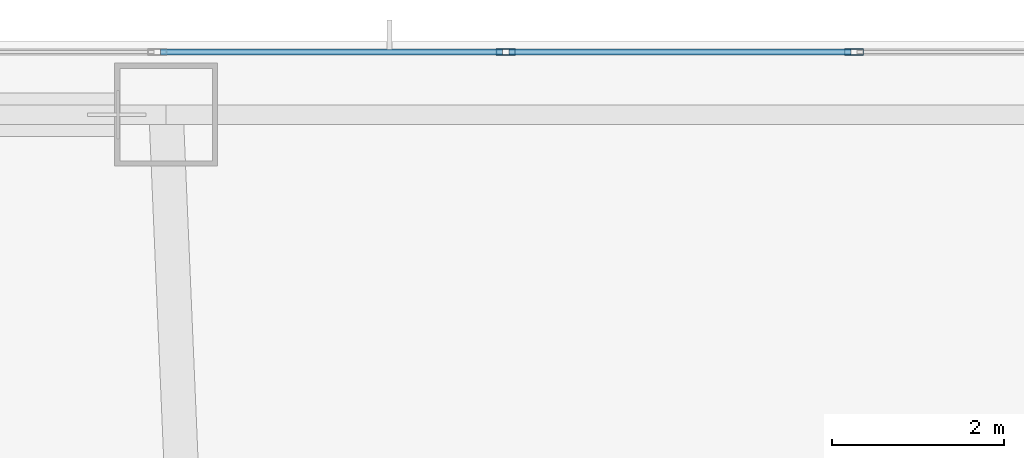
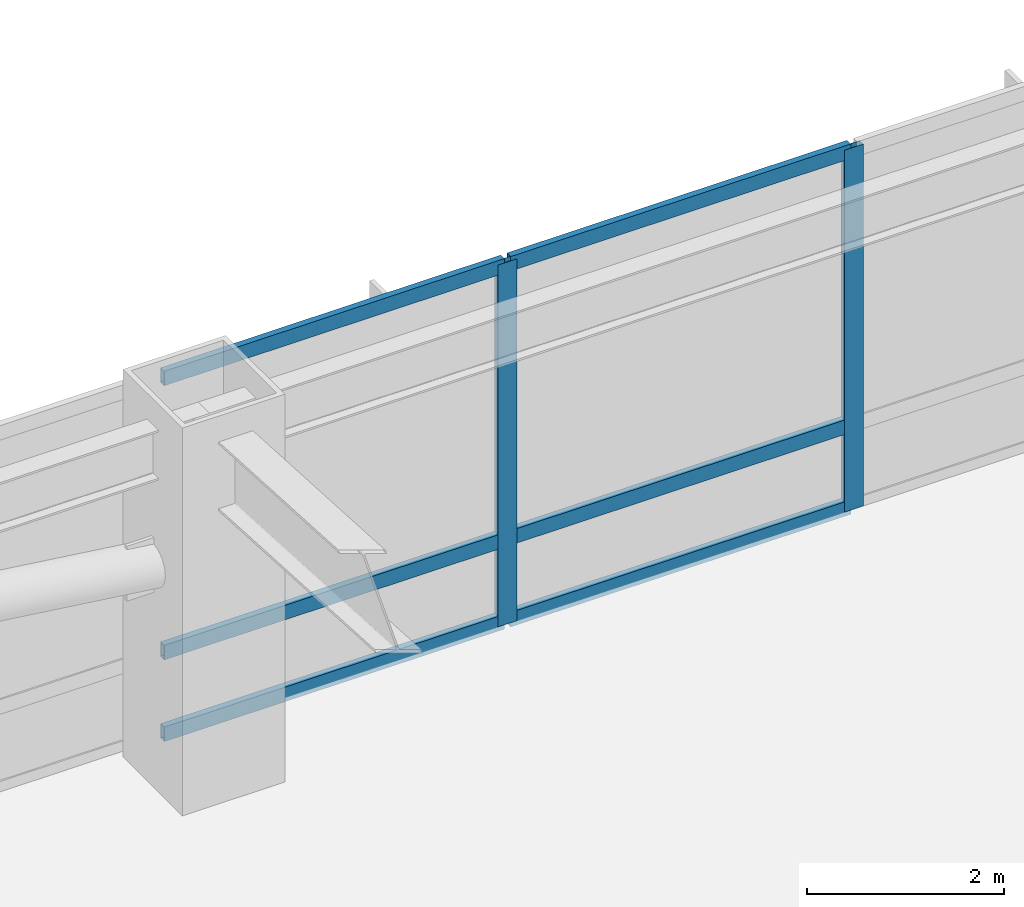
# One storey, part 11 of 33: 8 members, 1 element without a shape of its own.
"""IFC4 building model written with IfcOpenShell, lengths in metres."""

import ifcopenshell
import ifcopenshell.guid

model = None  # the IFC model being written
_history = None  # IfcOwnerHistory: only IFC2X3 demands one
_inside = {}  # id of a spatial element -> (the spatial element, [elements in it])
_under = {}  # id of a project, library or spatial element -> (it, [spatial elements below it])
_declared = {}  # id of a project -> (the project, [libraries it declares])
_typed = {}  # id of a type object -> (the type object, [elements of that type])
_made_of = {}  # id of a material, layer set ... -> (it, [elements and type objects made of it])


def new_model(schema):
    """Start an empty IFC model of exactly this schema.

    Asked for "IFC4X3", IfcOpenShell would pick the latest addendum, in which some entities
    have other attributes; the version numbers below select the first issue.
    IFC2X3 requires an IfcOwnerHistory on every rooted entity: one is made here for all.
    """
    global model, _history
    if schema == "IFC4X3":
        model = ifcopenshell.file(schema_version=(4, 3, 0, 0))
    else:
        model = ifcopenshell.file(schema=schema)
    _inside.clear()
    _under.clear()
    _declared.clear()
    _typed.clear()
    _made_of.clear()
    _history = None
    if model.schema == "IFC2X3":
        org = make("IfcOrganization", Name="unknown")
        user = make(
            "IfcPersonAndOrganization",
            ThePerson=make("IfcPerson", FamilyName="unknown"),
            TheOrganization=org,
        )
        app = make(
            "IfcApplication",
            ApplicationDeveloper=org,
            Version="unknown",
            ApplicationFullName="unknown",
            ApplicationIdentifier="unknown",
        )
        _history = make(
            "IfcOwnerHistory",
            OwningUser=user,
            OwningApplication=app,
            ChangeAction="ADDED",
            CreationDate=0,
        )
    return model


def make(cls, **values):
    """One entity of the class cls with the attributes given. An attribute that is None is left unset."""
    return model.create_entity(
        cls, **{name: value for name, value in values.items() if value is not None}
    )


def rooted(cls, **values):
    """An entity with a GlobalId (a new one), such as an element, a storey or a relation."""
    return make(cls, GlobalId=ifcopenshell.guid.new(), OwnerHistory=_history, **values)


def si_unit(unit_type, name, prefix=None):
    """IfcSIUnit, for example si_unit("LENGTHUNIT", "METRE", prefix="MILLI")."""
    return make("IfcSIUnit", UnitType=unit_type, Prefix=prefix, Name=name)


def assignment(units):
    """IfcUnitAssignment: the units of a project."""
    return None if units is None else make("IfcUnitAssignment", Units=units)


def point(xyz):
    """IfcCartesianPoint."""
    return None if xyz is None else make("IfcCartesianPoint", Coordinates=xyz)


def direction(xyz):
    """IfcDirection."""
    return None if xyz is None else make("IfcDirection", DirectionRatios=xyz)


def frame(location, z_axis=None, x_axis=None):
    """IfcAxis2Placement3D, a coordinate frame: its origin and axes. An axis left out is left unset."""
    return make(
        "IfcAxis2Placement3D",
        Location=point(location),
        Axis=direction(z_axis),
        RefDirection=direction(x_axis),
    )


def frame_2d(location, x_axis=None):
    """IfcAxis2Placement2D, a coordinate frame in the plane: its origin and x axis."""
    return make(
        "IfcAxis2Placement2D", Location=point(location), RefDirection=direction(x_axis)
    )


def origin():
    """The frame at (0, 0, 0) with its axes left unset."""
    return frame((0.0, 0.0, 0.0))


def origin_2d():
    """The frame at (0, 0) in the plane with its x axis left unset."""
    return frame_2d((0.0, 0.0))


def place(relative_to, where):
    """IfcLocalPlacement: puts the frame where relative to a parent placement (None: the world)."""
    return make(
        "IfcLocalPlacement", PlacementRelTo=relative_to, RelativePlacement=where
    )


def context(
    kind, dimensions, precision=None, world=None, true_north=None, identifier=None
):
    """IfcGeometricRepresentationContext, for example the 3D "Model" context."""
    return make(
        "IfcGeometricRepresentationContext",
        ContextIdentifier=identifier,
        ContextType=kind,
        CoordinateSpaceDimension=dimensions,
        Precision=precision,
        WorldCoordinateSystem=world,
        TrueNorth=true_north,
    )


def subcontext(parent, identifier, kind, view, scale=None):
    """IfcGeometricRepresentationSubContext, for example "Body" below "Model"."""
    return make(
        "IfcGeometricRepresentationSubContext",
        ContextIdentifier=identifier,
        ContextType=kind,
        ParentContext=parent,
        TargetScale=scale,
        TargetView=view,
    )


def project(units=None, contexts=None):
    """IfcProject with its units and contexts."""
    return rooted(
        "IfcProject",
        Name="project",
        RepresentationContexts=contexts,
        UnitsInContext=assignment(units),
    )


def spatial(cls, under=None, at=None, **own):
    """A site, building, storey or space (cls), placed at a placement, below another one or the project."""
    s = rooted(cls, ObjectPlacement=at, **own)
    if under is not None:
        _under.setdefault(under.id(), (under, []))[1].append(s)
    return s


def profile(cls, at=None, kind="AREA", **sizes):
    """A parametric profile (cls). Its sizes go by their IFC names, for example OverallWidth=200.0."""
    return make(cls, ProfileType=kind, Position=at, **sizes)


def hollow_rectangle(**sizes):
    """IfcRectangleHollowProfileDef."""
    return profile("IfcRectangleHollowProfileDef", **sizes)


def extrude(swept, where, along, depth):
    """IfcExtrudedAreaSolid: the profile swept, set in the frame where, extruded along a direction by depth."""
    return make(
        "IfcExtrudedAreaSolid",
        SweptArea=swept,
        Position=where,
        ExtrudedDirection=direction(along),
        Depth=depth,
    )


def shape(context_of_items, identifier, shape_type, items):
    """IfcShapeRepresentation: the items that make up one representation, for example the "Body"."""
    return make(
        "IfcShapeRepresentation",
        ContextOfItems=context_of_items,
        RepresentationIdentifier=identifier,
        RepresentationType=shape_type,
        Items=items,
    )


def material(Name=None, Category=None):
    """IfcMaterial."""
    return make("IfcMaterial", Name=Name, Category=Category)


def material_profile(
    of_material, cross_section, Name=None, Category=None, Priority=None
):
    """IfcMaterialProfile: a cross section and its material."""
    return make(
        "IfcMaterialProfile",
        Name=Name,
        Material=of_material,
        Profile=cross_section,
        Priority=Priority,
        Category=Category,
    )


def profile_set(profiles, Name=None, composite=None):
    """IfcMaterialProfileSet."""
    return make(
        "IfcMaterialProfileSet",
        Name=Name,
        MaterialProfiles=profiles,
        CompositeProfile=composite,
    )


def made_of(thing, what):
    """Note that an element or type object is made of a material, layer set ...; save() writes the relation."""
    if what is not None:
        _made_of.setdefault(what.id(), (what, []))[1].append(thing)
    return thing


def type_object(cls, material=None, **own):
    """A type object (cls), such as IfcWallType, which elements share."""
    return made_of(rooted(cls, **own), material)


def element(
    cls,
    number,
    at=None,
    inside=None,
    cuts=None,
    type_object=None,
    material=None,
    context=None,
    identifier="Body",
    shape_type=None,
    held_by="IfcProductDefinitionShape",
    body=None,
    shapes=None,
    **own,
):
    """One element of the class cls, such as IfcWall. Its Tag is "e" and its number.

    at: its placement. inside: the storey or other place that contains it. cuts: it is an
    opening in that element (IfcRelVoidsElement). A single representation is given by context,
    identifier, shape_type and body (its items); several are given by shapes. held_by: the class
    of the entity that holds the representations. save() writes the other relations.
    """
    e = rooted(cls, Tag="e%d" % number, ObjectPlacement=at, **own)
    if body is not None:
        shapes = [shape(context, identifier, shape_type, body)]
    if shapes is not None:
        e.Representation = make(held_by, Representations=shapes)
    if inside is not None:
        _inside.setdefault(inside.id(), (inside, []))[1].append(e)
    if cuts is not None:
        rooted(
            "IfcRelVoidsElement", RelatingBuildingElement=cuts, RelatedOpeningElement=e
        )
    if type_object is not None:
        _typed.setdefault(type_object.id(), (type_object, []))[1].append(e)
    return made_of(e, material)


def aggregate(whole, parts):
    """IfcRelAggregates: a whole, such as a stair, and the parts it consists of."""
    return rooted("IfcRelAggregates", RelatingObject=whole, RelatedObjects=parts)


def save(model, path):
    """Write the relations noted so far, then the file.

    IfcRelAggregates (storeys below a building ...), IfcRelContainedInSpatialStructure (elements
    in a storey), IfcRelDefinesByType, IfcRelAssociatesMaterial and IfcRelDeclares: one each for
    every whole, place, type object, material and project.
    """
    for whole, parts in _under.values():
        aggregate(whole, parts)
    for where, things in _inside.values():
        rooted(
            "IfcRelContainedInSpatialStructure",
            RelatedElements=things,
            RelatingStructure=where,
        )
    for kind, things in _typed.values():
        rooted("IfcRelDefinesByType", RelatedObjects=things, RelatingType=kind)
    for what, things in _made_of.values():
        rooted("IfcRelAssociatesMaterial", RelatedObjects=things, RelatingMaterial=what)
    for by, libraries in _declared.values():
        rooted("IfcRelDeclares", RelatingContext=by, RelatedDefinitions=libraries)
    model.write(path)


model = new_model("IFC4")

# Units and contexts
model_context = context("Model", 3, precision=1e-05, world=origin(), true_north=direction((0.0, 1.0)))
body_context = subcontext(model_context, "Body", "Model", "MODEL_VIEW")
ifc_project = project(units=[si_unit("LENGTHUNIT", "METRE"), si_unit("AREAUNIT", "SQUARE_METRE"), si_unit("VOLUMEUNIT", "CUBIC_METRE"), si_unit("PLANEANGLEUNIT", "RADIAN"), si_unit("MASSUNIT", "GRAM", prefix="KILO")], contexts=[model_context])

# Site, building, storey
site_placement = place(None, origin())
site = spatial("IfcSite", under=ifc_project, at=site_placement, CompositionType="ELEMENT")
building_placement = place(site_placement, origin())
building = spatial("IfcBuilding", under=site, at=building_placement, Name="Khamvora Tower", CompositionType="ELEMENT")
storey_placement = place(building_placement, frame((0.0, 0.0, 7.199951171875)))
storey = spatial("IfcBuildingStorey", under=building, at=storey_placement, Name="L01", CompositionType="ELEMENT", Elevation=7.199951171875)

# Curtain wall, members
ifc_material = material(Name="Anodised Aluminium 6063-T6", Category="aluminium")
curtain_wall_type = type_object("IfcCurtainWallType", Name="CW-SYS-01", PredefinedType="NOTDEFINED", material=ifc_material)
curtain_wall_placement = place(storey_placement, origin())
curtain_wall = element("IfcCurtainWall", 1, at=curtain_wall_placement, inside=storey, type_object=curtain_wall_type, Name="L01 stick curtain wall 07.1", PredefinedType="NOTDEFINED")
ifc_material_profile_1 = material_profile(ifc_material, hollow_rectangle(XDim=0.074951171875, YDim=0.219970703125, WallThickness=0.0048828125, at=origin_2d()), Name="MUL75x220x5")
ifc_profile_set_1 = profile_set([ifc_material_profile_1], Name="Anodised Aluminium 6063-T6")
member_type_1 = type_object("IfcMemberType", Name="CW-SYS-01-MUL", PredefinedType="MULLION", material=ifc_profile_set_1)
member_1_placement = place(storey_placement, frame((21.95361328125, 55.8798828125, 0.0), z_axis=(0.0, 0.0, 1.0), x_axis=(0.0, 1.0, 0.0)))
member_1 = element("IfcMember", 2, at=member_1_placement, type_object=member_type_1, Name="CW-01 mullion 5", PredefinedType="MULLION", context=body_context, shape_type="SweptSolid", body=[
    extrude(hollow_rectangle(XDim=0.074951171875, YDim=0.219970703125, WallThickness=0.0048828125, at=origin_2d()), origin(), (0.0, 0.0, 1.0), 4.47998046875),
])
member_2_placement = place(storey_placement, frame((26.01025390625, 55.8798828125, 0.0), z_axis=(0.0, 0.0, 1.0), x_axis=(0.0, 1.0, 0.0)))
member_2 = element("IfcMember", 3, at=member_2_placement, type_object=member_type_1, Name="CW-01 mullion 6", PredefinedType="MULLION", context=body_context, shape_type="SweptSolid", body=[
    extrude(hollow_rectangle(XDim=0.074951171875, YDim=0.219970703125, WallThickness=0.0048828125, at=origin_2d()), origin(), (0.0, 0.0, 1.0), 4.47998046875),
])
ifc_material_profile_2 = material_profile(ifc_material, hollow_rectangle(XDim=0.074951171875, YDim=0.179931640625, WallThickness=0.0048828125, at=origin_2d()), Name="TRN75x180x5")
ifc_profile_set_2 = profile_set([ifc_material_profile_2], Name="Anodised Aluminium 6063-T6")
member_type_2 = type_object("IfcMemberType", Name="CW-SYS-01-TRN", PredefinedType="USERDEFINED", material=ifc_profile_set_2)
member_3_placement = place(storey_placement, frame((17.934326171875, 55.8798828125, 0.03759765625), z_axis=(1.0, 0.0, 0.0), x_axis=(0.0, 1.0, 0.0)))
member_3 = element("IfcMember", 4, at=member_3_placement, type_object=member_type_2, Name="CW-01 transom 4.1", ObjectType="TRANSOM", PredefinedType="USERDEFINED", context=body_context, shape_type="SweptSolid", body=[
    extrude(hollow_rectangle(XDim=0.074951171875, YDim=0.179931640625, WallThickness=0.0048828125, at=origin_2d()), origin(), (0.0, 0.0, 1.0), 3.981689453125),
])
member_4_placement = place(storey_placement, frame((17.934326171875, 55.8798828125, 1.050048828125), z_axis=(1.0, 0.0, 0.0), x_axis=(0.0, 1.0, 0.0)))
member_4 = element("IfcMember", 5, at=member_4_placement, type_object=member_type_2, Name="CW-01 transom 4.2", ObjectType="TRANSOM", PredefinedType="USERDEFINED", context=body_context, shape_type="SweptSolid", body=[
    extrude(hollow_rectangle(XDim=0.074951171875, YDim=0.179931640625, WallThickness=0.0048828125, at=origin_2d()), origin(), (0.0, 0.0, 1.0), 3.981689453125),
])
member_5_placement = place(storey_placement, frame((17.934326171875, 55.8798828125, 4.442626953125), z_axis=(1.0, 0.0, 0.0), x_axis=(0.0, 1.0, 0.0)))
member_5 = element("IfcMember", 6, at=member_5_placement, type_object=member_type_2, Name="CW-01 transom 4.3", ObjectType="TRANSOM", PredefinedType="USERDEFINED", context=body_context, shape_type="SweptSolid", body=[
    extrude(hollow_rectangle(XDim=0.074951171875, YDim=0.179931640625, WallThickness=0.0048828125, at=origin_2d()), origin(), (0.0, 0.0, 1.0), 3.981689453125),
])
member_6_placement = place(storey_placement, frame((21.990966796875, 55.8798828125, 0.03759765625), z_axis=(1.0, 0.0, 0.0), x_axis=(0.0, 1.0, 0.0)))
member_6 = element("IfcMember", 7, at=member_6_placement, type_object=member_type_2, Name="CW-01 transom 5.1", ObjectType="TRANSOM", PredefinedType="USERDEFINED", context=body_context, shape_type="SweptSolid", body=[
    extrude(hollow_rectangle(XDim=0.074951171875, YDim=0.179931640625, WallThickness=0.0048828125, at=origin_2d()), origin(), (0.0, 0.0, 1.0), 3.981689453125),
])
member_7_placement = place(storey_placement, frame((21.990966796875, 55.8798828125, 1.050048828125), z_axis=(1.0, 0.0, 0.0), x_axis=(0.0, 1.0, 0.0)))
member_7 = element("IfcMember", 8, at=member_7_placement, type_object=member_type_2, Name="CW-01 transom 5.2", ObjectType="TRANSOM", PredefinedType="USERDEFINED", context=body_context, shape_type="SweptSolid", body=[
    extrude(hollow_rectangle(XDim=0.074951171875, YDim=0.179931640625, WallThickness=0.0048828125, at=origin_2d()), origin(), (0.0, 0.0, 1.0), 3.981689453125),
])
member_8_placement = place(storey_placement, frame((21.990966796875, 55.8798828125, 4.442626953125), z_axis=(1.0, 0.0, 0.0), x_axis=(0.0, 1.0, 0.0)))
member_8 = element("IfcMember", 9, at=member_8_placement, type_object=member_type_2, Name="CW-01 transom 5.3", ObjectType="TRANSOM", PredefinedType="USERDEFINED", context=body_context, shape_type="SweptSolid", body=[
    extrude(hollow_rectangle(XDim=0.074951171875, YDim=0.179931640625, WallThickness=0.0048828125, at=origin_2d()), origin(), (0.0, 0.0, 1.0), 3.981689453125),
])
aggregate(curtain_wall, [member_1, member_2, member_3, member_4, member_5, member_6, member_7, member_8])

save(model, "model.ifc")
